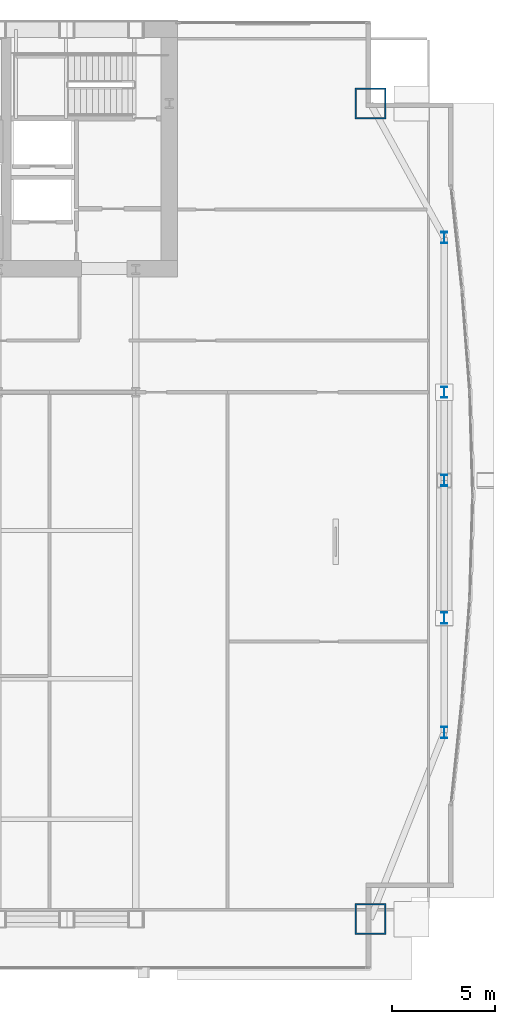
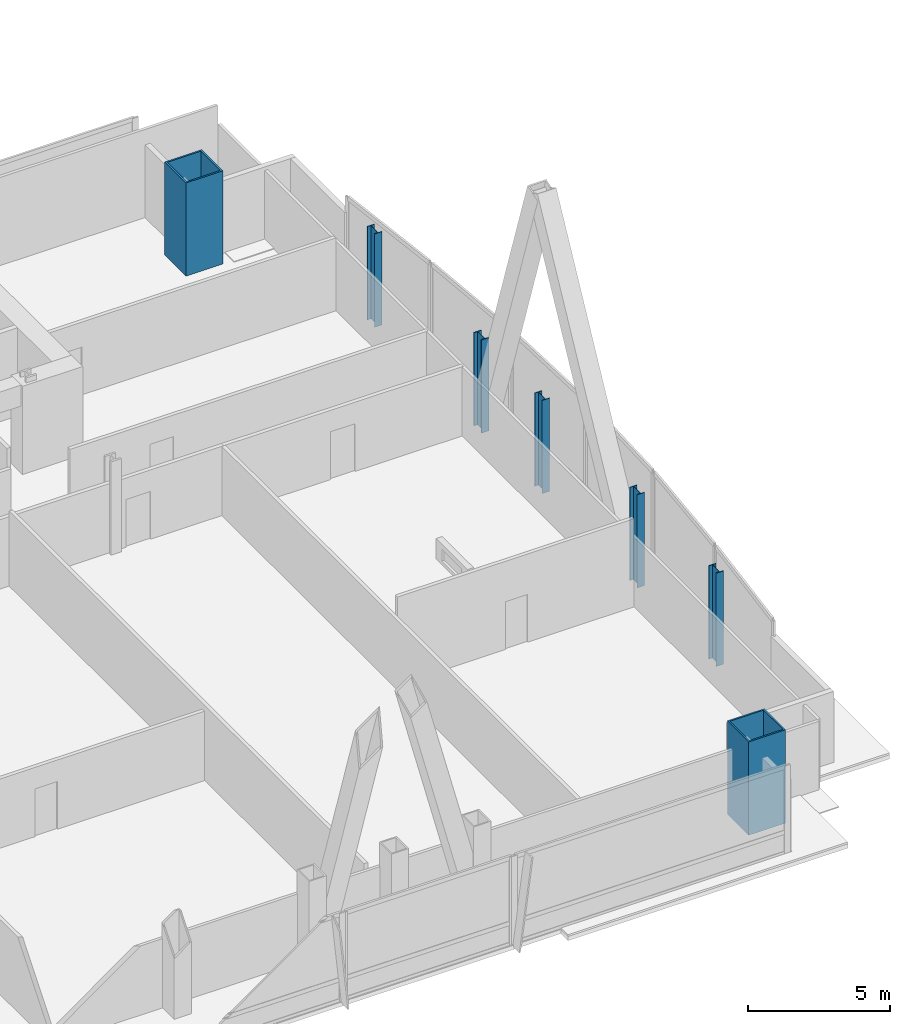
# One storey, part 4 of 32: 7 columns.
"""IFC4 building model written with IfcOpenShell, lengths in metres."""

import ifcopenshell
import ifcopenshell.guid

model = None  # the IFC model being written
_history = None  # IfcOwnerHistory: only IFC2X3 demands one
_inside = {}  # id of a spatial element -> (the spatial element, [elements in it])
_under = {}  # id of a project, library or spatial element -> (it, [spatial elements below it])
_declared = {}  # id of a project -> (the project, [libraries it declares])
_typed = {}  # id of a type object -> (the type object, [elements of that type])
_made_of = {}  # id of a material, layer set ... -> (it, [elements and type objects made of it])


def new_model(schema):
    """Start an empty IFC model of exactly this schema.

    Asked for "IFC4X3", IfcOpenShell would pick the latest addendum, in which some entities
    have other attributes; the version numbers below select the first issue.
    IFC2X3 requires an IfcOwnerHistory on every rooted entity: one is made here for all.
    """
    global model, _history
    if schema == "IFC4X3":
        model = ifcopenshell.file(schema_version=(4, 3, 0, 0))
    else:
        model = ifcopenshell.file(schema=schema)
    _inside.clear()
    _under.clear()
    _declared.clear()
    _typed.clear()
    _made_of.clear()
    _history = None
    if model.schema == "IFC2X3":
        org = make("IfcOrganization", Name="unknown")
        user = make(
            "IfcPersonAndOrganization",
            ThePerson=make("IfcPerson", FamilyName="unknown"),
            TheOrganization=org,
        )
        app = make(
            "IfcApplication",
            ApplicationDeveloper=org,
            Version="unknown",
            ApplicationFullName="unknown",
            ApplicationIdentifier="unknown",
        )
        _history = make(
            "IfcOwnerHistory",
            OwningUser=user,
            OwningApplication=app,
            ChangeAction="ADDED",
            CreationDate=0,
        )
    return model


def make(cls, **values):
    """One entity of the class cls with the attributes given. An attribute that is None is left unset."""
    return model.create_entity(
        cls, **{name: value for name, value in values.items() if value is not None}
    )


def rooted(cls, **values):
    """An entity with a GlobalId (a new one), such as an element, a storey or a relation."""
    return make(cls, GlobalId=ifcopenshell.guid.new(), OwnerHistory=_history, **values)


def si_unit(unit_type, name, prefix=None):
    """IfcSIUnit, for example si_unit("LENGTHUNIT", "METRE", prefix="MILLI")."""
    return make("IfcSIUnit", UnitType=unit_type, Prefix=prefix, Name=name)


def assignment(units):
    """IfcUnitAssignment: the units of a project."""
    return None if units is None else make("IfcUnitAssignment", Units=units)


def point(xyz):
    """IfcCartesianPoint."""
    return None if xyz is None else make("IfcCartesianPoint", Coordinates=xyz)


def direction(xyz):
    """IfcDirection."""
    return None if xyz is None else make("IfcDirection", DirectionRatios=xyz)


def frame(location, z_axis=None, x_axis=None):
    """IfcAxis2Placement3D, a coordinate frame: its origin and axes. An axis left out is left unset."""
    return make(
        "IfcAxis2Placement3D",
        Location=point(location),
        Axis=direction(z_axis),
        RefDirection=direction(x_axis),
    )


def frame_2d(location, x_axis=None):
    """IfcAxis2Placement2D, a coordinate frame in the plane: its origin and x axis."""
    return make(
        "IfcAxis2Placement2D", Location=point(location), RefDirection=direction(x_axis)
    )


def origin():
    """The frame at (0, 0, 0) with its axes left unset."""
    return frame((0.0, 0.0, 0.0))


def origin_2d():
    """The frame at (0, 0) in the plane with its x axis left unset."""
    return frame_2d((0.0, 0.0))


def place(relative_to, where):
    """IfcLocalPlacement: puts the frame where relative to a parent placement (None: the world)."""
    return make(
        "IfcLocalPlacement", PlacementRelTo=relative_to, RelativePlacement=where
    )


def context(
    kind, dimensions, precision=None, world=None, true_north=None, identifier=None
):
    """IfcGeometricRepresentationContext, for example the 3D "Model" context."""
    return make(
        "IfcGeometricRepresentationContext",
        ContextIdentifier=identifier,
        ContextType=kind,
        CoordinateSpaceDimension=dimensions,
        Precision=precision,
        WorldCoordinateSystem=world,
        TrueNorth=true_north,
    )


def subcontext(parent, identifier, kind, view, scale=None):
    """IfcGeometricRepresentationSubContext, for example "Body" below "Model"."""
    return make(
        "IfcGeometricRepresentationSubContext",
        ContextIdentifier=identifier,
        ContextType=kind,
        ParentContext=parent,
        TargetScale=scale,
        TargetView=view,
    )


def project(units=None, contexts=None):
    """IfcProject with its units and contexts."""
    return rooted(
        "IfcProject",
        Name="project",
        RepresentationContexts=contexts,
        UnitsInContext=assignment(units),
    )


def spatial(cls, under=None, at=None, **own):
    """A site, building, storey or space (cls), placed at a placement, below another one or the project."""
    s = rooted(cls, ObjectPlacement=at, **own)
    if under is not None:
        _under.setdefault(under.id(), (under, []))[1].append(s)
    return s


def profile(cls, at=None, kind="AREA", **sizes):
    """A parametric profile (cls). Its sizes go by their IFC names, for example OverallWidth=200.0."""
    return make(cls, ProfileType=kind, Position=at, **sizes)


def hollow_rectangle(**sizes):
    """IfcRectangleHollowProfileDef."""
    return profile("IfcRectangleHollowProfileDef", **sizes)


def i_section(**sizes):
    """IfcIShapeProfileDef."""
    return profile("IfcIShapeProfileDef", **sizes)


def extrude(swept, where, along, depth):
    """IfcExtrudedAreaSolid: the profile swept, set in the frame where, extruded along a direction by depth."""
    return make(
        "IfcExtrudedAreaSolid",
        SweptArea=swept,
        Position=where,
        ExtrudedDirection=direction(along),
        Depth=depth,
    )


def shape(context_of_items, identifier, shape_type, items):
    """IfcShapeRepresentation: the items that make up one representation, for example the "Body"."""
    return make(
        "IfcShapeRepresentation",
        ContextOfItems=context_of_items,
        RepresentationIdentifier=identifier,
        RepresentationType=shape_type,
        Items=items,
    )


def material(Name=None, Category=None):
    """IfcMaterial."""
    return make("IfcMaterial", Name=Name, Category=Category)


def material_profile(
    of_material, cross_section, Name=None, Category=None, Priority=None
):
    """IfcMaterialProfile: a cross section and its material."""
    return make(
        "IfcMaterialProfile",
        Name=Name,
        Material=of_material,
        Profile=cross_section,
        Priority=Priority,
        Category=Category,
    )


def profile_set(profiles, Name=None, composite=None):
    """IfcMaterialProfileSet."""
    return make(
        "IfcMaterialProfileSet",
        Name=Name,
        MaterialProfiles=profiles,
        CompositeProfile=composite,
    )


def made_of(thing, what):
    """Note that an element or type object is made of a material, layer set ...; save() writes the relation."""
    if what is not None:
        _made_of.setdefault(what.id(), (what, []))[1].append(thing)
    return thing


def type_object(cls, material=None, **own):
    """A type object (cls), such as IfcWallType, which elements share."""
    return made_of(rooted(cls, **own), material)


def element(
    cls,
    number,
    at=None,
    inside=None,
    cuts=None,
    type_object=None,
    material=None,
    context=None,
    identifier="Body",
    shape_type=None,
    held_by="IfcProductDefinitionShape",
    body=None,
    shapes=None,
    **own,
):
    """One element of the class cls, such as IfcWall. Its Tag is "e" and its number.

    at: its placement. inside: the storey or other place that contains it. cuts: it is an
    opening in that element (IfcRelVoidsElement). A single representation is given by context,
    identifier, shape_type and body (its items); several are given by shapes. held_by: the class
    of the entity that holds the representations. save() writes the other relations.
    """
    e = rooted(cls, Tag="e%d" % number, ObjectPlacement=at, **own)
    if body is not None:
        shapes = [shape(context, identifier, shape_type, body)]
    if shapes is not None:
        e.Representation = make(held_by, Representations=shapes)
    if inside is not None:
        _inside.setdefault(inside.id(), (inside, []))[1].append(e)
    if cuts is not None:
        rooted(
            "IfcRelVoidsElement", RelatingBuildingElement=cuts, RelatedOpeningElement=e
        )
    if type_object is not None:
        _typed.setdefault(type_object.id(), (type_object, []))[1].append(e)
    return made_of(e, material)


def aggregate(whole, parts):
    """IfcRelAggregates: a whole, such as a stair, and the parts it consists of."""
    return rooted("IfcRelAggregates", RelatingObject=whole, RelatedObjects=parts)


def save(model, path):
    """Write the relations noted so far, then the file.

    IfcRelAggregates (storeys below a building ...), IfcRelContainedInSpatialStructure (elements
    in a storey), IfcRelDefinesByType, IfcRelAssociatesMaterial and IfcRelDeclares: one each for
    every whole, place, type object, material and project.
    """
    for whole, parts in _under.values():
        aggregate(whole, parts)
    for where, things in _inside.values():
        rooted(
            "IfcRelContainedInSpatialStructure",
            RelatedElements=things,
            RelatingStructure=where,
        )
    for kind, things in _typed.values():
        rooted("IfcRelDefinesByType", RelatedObjects=things, RelatingType=kind)
    for what, things in _made_of.values():
        rooted("IfcRelAssociatesMaterial", RelatedObjects=things, RelatingMaterial=what)
    for by, libraries in _declared.values():
        rooted("IfcRelDeclares", RelatingContext=by, RelatedDefinitions=libraries)
    model.write(path)


model = new_model("IFC4")

# Units and contexts
model_context = context("Model", 3, precision=1e-05, world=origin(), true_north=direction((0.0, 1.0)))
body_context = subcontext(model_context, "Body", "Model", "MODEL_VIEW")
ifc_project = project(units=[si_unit("LENGTHUNIT", "METRE"), si_unit("AREAUNIT", "SQUARE_METRE"), si_unit("VOLUMEUNIT", "CUBIC_METRE"), si_unit("PLANEANGLEUNIT", "RADIAN"), si_unit("MASSUNIT", "GRAM", prefix="KILO")], contexts=[model_context])

# Site, building, storey
site_placement = place(None, origin())
site = spatial("IfcSite", under=ifc_project, at=site_placement, CompositionType="ELEMENT")
building_placement = place(site_placement, origin())
building = spatial("IfcBuilding", under=site, at=building_placement, Name="Khoronbel Lancet Exchange", CompositionType="ELEMENT")
storey_placement = place(building_placement, frame((0.0, 0.0, 81.800048828125)))
storey = spatial("IfcBuildingStorey", under=building, at=storey_placement, Name="L19", CompositionType="ELEMENT", Elevation=81.800048828125)

# Columns
ifc_material_1 = material(Name="Steel S355", Category="steel")
ifc_material_profile_1 = material_profile(ifc_material_1, i_section(OverallWidth=0.300048828125, OverallDepth=0.550048828125, WebThickness=0.014892578125, FlangeThickness=0.029052734375, at=origin_2d()), Name="HEB 550")
ifc_profile_set_1 = profile_set([ifc_material_profile_1], Name="Steel S355")
column_type_1 = type_object("IfcColumnType", Name="COL-LC1", PredefinedType="COLUMN", material=ifc_profile_set_1)
for number, where, z_axis, x_axis, name in (
    (1, (69.6298828125, 19.199951171875, 0.0), (0.0, 0.0, 1.0), (1.0, 0.0, 0.0), "Structural column EC-1 L19"),
    (2, (69.6298828125, 24.75, 0.0), (0.0, 0.0, 1.0), (1.0, 0.0, 0.0), "Structural column EC-2 L19"),
    (3, (69.6298828125, 31.425048828125, 0.0), (0.0, 0.0, 1.0), (1.0, 0.0, 0.0), "Structural column EC-M L19"),
    (4, (69.6298828125, 35.699951171875, 0.0), (0.0, 0.0, 1.0), (1.0, 0.0, 0.0), "Structural column EC-3 L19"),
    (5, (69.6298828125, 43.199951171875, 0.0), (0.0, 0.0, 1.0), (1.0, 0.0, 0.0), "Structural column EC-4 L19"),
):
    element("IfcColumn", number, at=place(storey_placement, frame(where, z_axis=z_axis, x_axis=x_axis)), inside=storey, type_object=column_type_1, Name=name, PredefinedType="COLUMN", context=body_context, shape_type="SweptSolid", body=[
        extrude(i_section(OverallWidth=0.300048828125, OverallDepth=0.550048828125, WebThickness=0.014892578125, FlangeThickness=0.029052734375, at=origin_2d()), origin(), (0.0, 0.0, 1.0), 4.0),
    ])
ifc_material_2 = material(Name="Steel S460", Category="steel")
ifc_material_profile_2 = material_profile(ifc_material_2, hollow_rectangle(XDim=1.5, YDim=1.5, WallThickness=0.070068359375, at=origin_2d()), Name="BOX 1500x1500x70")
ifc_profile_set_2 = profile_set([ifc_material_profile_2], Name="Steel S460")
column_type_2 = type_object("IfcColumnType", Name="COL-MC3", PredefinedType="COLUMN", material=ifc_profile_set_2)
for number, where, z_axis, x_axis, name in (
    (6, (66.050048828125, 10.14990234375, 0.0), (0.0, 0.0, 1.0), (1.0, 0.0, 0.0), "Structural column MC-SE L19"),
    (7, (66.050048828125, 49.699951171875, 0.0), (0.0, 0.0, 1.0), (1.0, 0.0, 0.0), "Structural column MC-NE L19"),
):
    element("IfcColumn", number, at=place(storey_placement, frame(where, z_axis=z_axis, x_axis=x_axis)), inside=storey, type_object=column_type_2, Name=name, PredefinedType="COLUMN", context=body_context, shape_type="SweptSolid", body=[
        extrude(hollow_rectangle(XDim=1.5, YDim=1.5, WallThickness=0.070068359375, at=origin_2d()), origin(), (0.0, 0.0, 1.0), 4.0),
    ])

save(model, "model.ifc")
